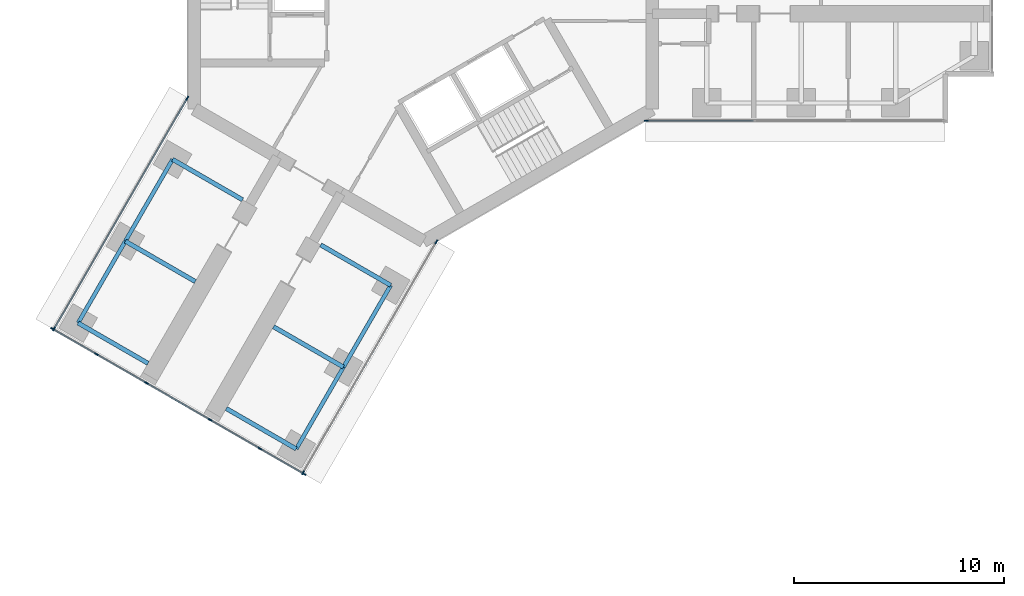
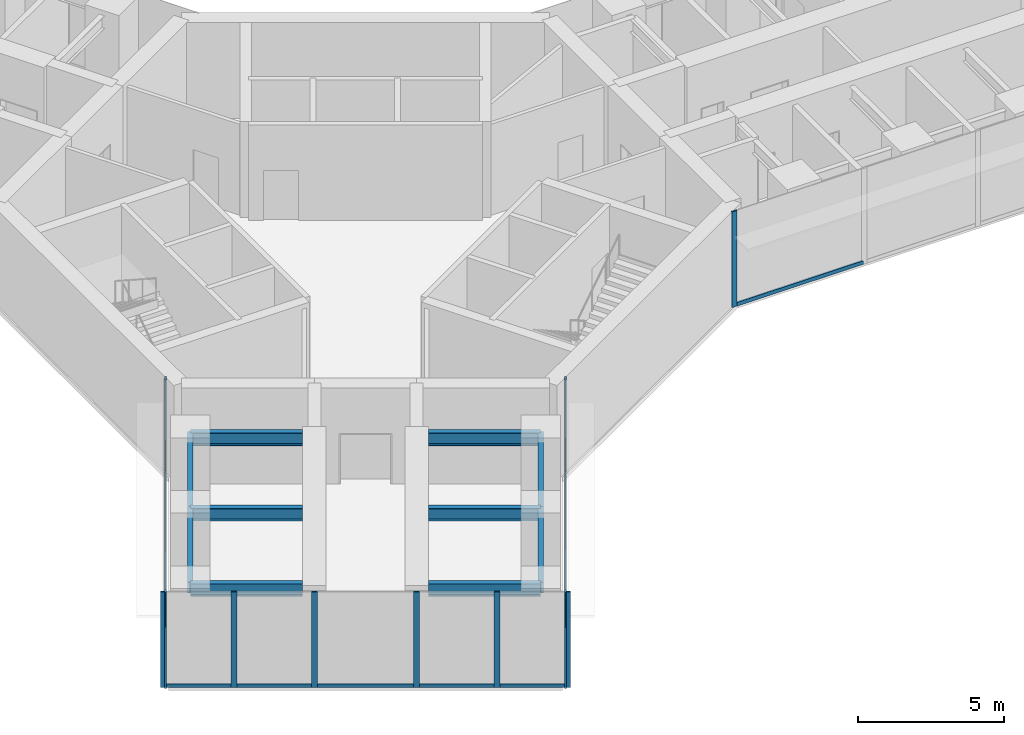
# One storey, part 2 of 21: 19 members, 10 beams, 4 elements without a shape of their own.
"""IFC4 building model written with IfcOpenShell, lengths in metres."""

from ifc_helpers import new_model, si_unit, direction, frame, origin, origin_2d, place, context, subcontext, project, spatial, rectangle, i_section, extrude, material, material_profile, profile_set, type_object, element, aggregate, save


model = new_model("IFC4")

# Units and contexts
model_context = context("Model", 3, precision=1e-05, world=origin(), true_north=direction((0.0, 1.0)))
body_context = subcontext(model_context, "Body", "Model", "MODEL_VIEW")
ifc_project = project(units=[si_unit("LENGTHUNIT", "METRE"), si_unit("AREAUNIT", "SQUARE_METRE"), si_unit("VOLUMEUNIT", "CUBIC_METRE"), si_unit("PLANEANGLEUNIT", "RADIAN"), si_unit("MASSUNIT", "GRAM", prefix="KILO")], contexts=[model_context])

# Site, building, storey
site_placement = place(None, origin())
site = spatial("IfcSite", under=ifc_project, at=site_placement, CompositionType="ELEMENT")
building_placement = place(site_placement, origin())
building = spatial("IfcBuilding", under=site, at=building_placement, Name="Upepo Twin Towers", CompositionType="ELEMENT")
storey_placement = place(building_placement, frame((0.0, 0.0, 117.5)))
storey = spatial("IfcBuildingStorey", under=building, at=storey_placement, Name="L28", CompositionType="ELEMENT", Elevation=117.5)

# Beams
ifc_material_1 = material(Name="Steel S355", Category="steel")
ifc_material_profile_1 = material_profile(ifc_material_1, i_section(OverallWidth=0.1904296875, OverallDepth=0.45703125, WebThickness=0.009033203125, FlangeThickness=0.014404296875, FilletRadius=0.01025390625, at=origin_2d()), Name="UB 457x191x74")
ifc_profile_set_1 = profile_set([ifc_material_profile_1], Name="Steel S355")
beam_type_1 = type_object("IfcBeamType", Name="Beam UB 457x191x74", PredefinedType="BEAM", material=ifc_profile_set_1)
beam_1_placement = place(storey_placement, frame((-1.553955078125, -14.69140625, 3.571533203125), z_axis=(-0.500013631625, -0.866017533419, 0.0), x_axis=(0.866017533419, -0.500013631625, 0.0)))
element("IfcBeam", 1, at=beam_1_placement, inside=storey, type_object=beam_type_1, Name="T1 edge beam CL 13.5-18.0", PredefinedType="BEAM", context=body_context, shape_type="SweptSolid", body=[
    extrude(i_section(OverallWidth=0.1904296875, OverallDepth=0.45703125, WebThickness=0.009033203125, FlangeThickness=0.014404296875, FilletRadius=0.01025390625, at=origin_2d()), origin(), (0.0, 0.0, 1.0), 4.499755859375),
])
beam_2_placement = place(storey_placement, frame((-3.803955078125, -18.58837890625, 3.571533203125), z_axis=(-0.499990139034, -0.866031096941, 0.0), x_axis=(0.866031096941, -0.499990139034, 0.0)))
element("IfcBeam", 2, at=beam_2_placement, inside=storey, type_object=beam_type_1, Name="T1 edge beam CL 18.0-22.5", PredefinedType="BEAM", context=body_context, shape_type="SweptSolid", body=[
    extrude(i_section(OverallWidth=0.1904296875, OverallDepth=0.45703125, WebThickness=0.009033203125, FlangeThickness=0.014404296875, FilletRadius=0.01025390625, at=origin_2d()), origin(), (0.0, 0.0, 1.0), 4.5),
])
beam_3_placement = place(storey_placement, frame((-11.946044921875, -8.69140625, 3.571533203125), z_axis=(-0.500013631625, -0.866017533419, 0.0), x_axis=(0.866017533419, -0.500013631625, 0.0)))
element("IfcBeam", 3, at=beam_3_placement, inside=storey, type_object=beam_type_1, Name="T1 edge beam CR 13.5-18.0", PredefinedType="BEAM", context=body_context, shape_type="SweptSolid", body=[
    extrude(i_section(OverallWidth=0.1904296875, OverallDepth=0.45703125, WebThickness=0.009033203125, FlangeThickness=0.014404296875, FilletRadius=0.01025390625, at=origin_2d()), origin(), (0.0, 0.0, 1.0), 4.499755859375),
])
beam_4_placement = place(storey_placement, frame((-14.196044921875, -12.58837890625, 3.571533203125), z_axis=(-0.499990139034, -0.866031096941, 0.0), x_axis=(0.866031096941, -0.499990139034, 0.0)))
element("IfcBeam", 4, at=beam_4_placement, inside=storey, type_object=beam_type_1, Name="T1 edge beam CR 18.0-22.5", PredefinedType="BEAM", context=body_context, shape_type="SweptSolid", body=[
    extrude(i_section(OverallWidth=0.1904296875, OverallDepth=0.45703125, WebThickness=0.009033203125, FlangeThickness=0.014404296875, FilletRadius=0.01025390625, at=origin_2d()), origin(), (0.0, 0.0, 1.0), 4.5),
])
ifc_material_2 = material(Name="Steel S355", Category="steel")
ifc_material_profile_2 = material_profile(ifc_material_2, i_section(OverallWidth=0.209228515625, OverallDepth=0.533203125, WebThickness=0.010009765625, FlangeThickness=0.015625, FilletRadius=0.0126953125, at=origin_2d()), Name="UB 533x210x92")
ifc_profile_set_2 = profile_set([ifc_material_profile_2], Name="Steel S355")
beam_type_2 = type_object("IfcBeamType", Name="Beam UB 533x210x92", PredefinedType="BEAM", material=ifc_profile_set_2)
beam_5_placement = place(storey_placement, frame((-1.553955078125, -14.69140625, 3.533447265625), z_axis=(-0.866006051527, 0.500033517596, 0.0), x_axis=(-0.500033517596, -0.866006051527, 0.0)))
element("IfcBeam", 5, at=beam_5_placement, inside=storey, type_object=beam_type_2, Name="T1 girder CL at 13.5", PredefinedType="BEAM", context=body_context, shape_type="SweptSolid", body=[
    extrude(i_section(OverallWidth=0.209228515625, OverallDepth=0.533203125, WebThickness=0.010009765625, FlangeThickness=0.015625, FilletRadius=0.0126953125, at=origin_2d()), origin(), (0.0, 0.0, 1.0), 3.849853515625),
])
beam_6_placement = place(storey_placement, frame((-3.803955078125, -18.58837890625, 3.533447265625), z_axis=(-0.866033512162, 0.499985955615, 0.0), x_axis=(-0.499985955615, -0.866033512162, 0.0)))
element("IfcBeam", 6, at=beam_6_placement, inside=storey, type_object=beam_type_2, Name="T1 girder CL at 18.0", PredefinedType="BEAM", context=body_context, shape_type="SweptSolid", body=[
    extrude(i_section(OverallWidth=0.209228515625, OverallDepth=0.533203125, WebThickness=0.010009765625, FlangeThickness=0.015625, FilletRadius=0.0126953125, at=origin_2d()), origin(), (0.0, 0.0, 1.0), 3.849609375),
])
for number, where, z_axis, x_axis, name in (
    (7, (-6.053955078125, -22.485595703125, 3.533447265625), (-0.866006051527, 0.500033517596, 0.0), (-0.500033517596, -0.866006051527, 0.0), "T1 girder CL at 22.5"),
    (8, (-11.946044921875, -8.69140625, 3.533447265625), (0.866006051527, -0.500033517596, 0.0), (0.500033517596, 0.866006051527, 0.0), "T1 girder CR at 13.5"),
    (9, (-14.196044921875, -12.58837890625, 3.533447265625), (0.866006051527, -0.500033517596, 0.0), (0.500033517596, 0.866006051527, 0.0), "T1 girder CR at 18.0"),
    (10, (-16.446044921875, -16.485595703125, 3.533447265625), (0.866006051527, -0.500033517596, 0.0), (0.500033517596, 0.866006051527, 0.0), "T1 girder CR at 22.5"),
):
    element("IfcBeam", number, at=place(storey_placement, frame(where, z_axis=z_axis, x_axis=x_axis)), inside=storey, type_object=beam_type_2, Name=name, PredefinedType="BEAM", context=body_context, shape_type="SweptSolid", body=[
        extrude(i_section(OverallWidth=0.209228515625, OverallDepth=0.533203125, WebThickness=0.010009765625, FlangeThickness=0.015625, FilletRadius=0.0126953125, at=origin_2d()), origin(), (0.0, 0.0, 1.0), 3.849853515625),
    ])

# Curtain wall, member
ifc_material_3 = material(Name="Aluminium and fritted glass", Category="aluminium")
curtain_wall_type = type_object("IfcCurtainWallType", Name="Tower curtain wall TW2, fritted glass", PredefinedType="NOTDEFINED", material=ifc_material_3)
curtain_wall_1_placement = place(storey_placement, origin())
curtain_wall_1 = element("IfcCurtainWall", 11, at=curtain_wall_1_placement, inside=storey, type_object=curtain_wall_type, Name="T1 L28 wing A flank R curtain wall", PredefinedType="NOTDEFINED")
ifc_material_4 = material(Name="Aluminium mullion", Category="aluminium")
ifc_material_profile_3 = material_profile(ifc_material_4, rectangle(XDim=0.06494140625, YDim=0.199951171875, at=origin_2d()), Name="MULLION 65x200")
ifc_profile_set_3 = profile_set([ifc_material_profile_3], Name="Aluminium mullion")
member_type_1 = type_object("IfcMemberType", Name="Mullion 65x200 TW2", PredefinedType="MULLION", material=ifc_profile_set_3)
member_1_placement = place(storey_placement, frame((10.61962890625, -6.85009765625, 0.0), z_axis=(0.0, 0.0, 1.0), x_axis=(0.0, -1.0, 0.0)))
member_1 = element("IfcMember", 12, at=member_1_placement, type_object=member_type_1, Name="T1 L28 wing A flank R curtain wall mullion 4", PredefinedType="MULLION", context=body_context, shape_type="SweptSolid", body=[
    extrude(rectangle(XDim=0.06494140625, YDim=0.199951171875, at=origin_2d()), origin(), (0.0, 0.0, 1.0), 4.0),
])

# Curtain wall, members
curtain_wall_2_placement = place(storey_placement, origin())
curtain_wall_2 = element("IfcCurtainWall", 13, at=curtain_wall_2_placement, inside=storey, type_object=curtain_wall_type, Name="T1 L28 wing C flank L curtain wall", PredefinedType="NOTDEFINED")
member_2_placement = place(storey_placement, frame((0.62255859375, -12.621826171875, 0.0), z_axis=(0.0, 0.0, 1.0), x_axis=(0.866025399212, -0.50000000792, 0.0)))
member_2 = element("IfcMember", 14, at=member_2_placement, type_object=member_type_1, Name="T1 L28 wing C flank L curtain wall mullion 1", PredefinedType="MULLION", context=body_context, shape_type="SweptSolid", body=[
    extrude(rectangle(XDim=0.06494140625, YDim=0.199951171875, at=origin_2d()), origin(), (0.0, 0.0, 1.0), 4.0),
])
member_3_placement = place(storey_placement, frame((-5.7265625, -23.61865234375, 0.0), z_axis=(0.0, 0.0, 1.0), x_axis=(0.866025399212, -0.50000000792, 0.0)))
member_3 = element("IfcMember", 15, at=member_3_placement, type_object=member_type_1, Name="T1 L28 wing C flank L curtain wall mullion 2", PredefinedType="MULLION", context=body_context, shape_type="SweptSolid", body=[
    extrude(rectangle(XDim=0.06494140625, YDim=0.199951171875, at=origin_2d()), origin(), (0.0, 0.0, 1.0), 4.0),
])

curtain_wall_3_placement = place(storey_placement, origin())
curtain_wall_3 = element("IfcCurtainWall", 16, at=curtain_wall_3_placement, inside=storey, type_object=curtain_wall_type, Name="T1 L28 wing C flank R curtain wall", PredefinedType="NOTDEFINED")
member_4_placement = place(storey_placement, frame((-17.591064453125, -16.7685546875, 0.0), z_axis=(0.0, 0.0, 1.0), x_axis=(-0.866025399212, 0.50000000792, 0.0)))
member_4 = element("IfcMember", 17, at=member_4_placement, type_object=member_type_1, Name="T1 L28 wing C flank R curtain wall mullion 1", PredefinedType="MULLION", context=body_context, shape_type="SweptSolid", body=[
    extrude(rectangle(XDim=0.06494140625, YDim=0.199951171875, at=origin_2d()), origin(), (0.0, 0.0, 1.0), 4.0),
])
member_5_placement = place(storey_placement, frame((-11.2421875, -5.77197265625, 0.0), z_axis=(0.0, 0.0, 1.0), x_axis=(-0.866025399212, 0.50000000792, 0.0)))
member_5 = element("IfcMember", 18, at=member_5_placement, type_object=member_type_1, Name="T1 L28 wing C flank R curtain wall mullion 2", PredefinedType="MULLION", context=body_context, shape_type="SweptSolid", body=[
    extrude(rectangle(XDim=0.06494140625, YDim=0.199951171875, at=origin_2d()), origin(), (0.0, 0.0, 1.0), 4.0),
])

curtain_wall_4_placement = place(storey_placement, origin())
curtain_wall_4 = element("IfcCurtainWall", 19, at=curtain_wall_4_placement, inside=storey, type_object=curtain_wall_type, Name="T1 L28 wing C nose curtain wall", PredefinedType="NOTDEFINED")
member_6_placement = place(storey_placement, frame((-17.665771484375, -16.762939453125, 0.0), z_axis=(0.0, 0.0, 1.0), x_axis=(0.499999972355, 0.866025419745, 0.0)))
member_6 = element("IfcMember", 20, at=member_6_placement, type_object=member_type_1, Name="T1 L28 wing C nose curtain wall mullion 1", PredefinedType="MULLION", context=body_context, shape_type="SweptSolid", body=[
    extrude(rectangle(XDim=0.06494140625, YDim=0.199951171875, at=origin_2d()), origin(), (0.0, 0.0, 1.0), 4.0),
])
member_7_placement = place(storey_placement, frame((-15.572021484375, -17.9716796875, 0.0), z_axis=(0.0, 0.0, 1.0), x_axis=(0.499999972355, 0.866025419745, 0.0)))
member_7 = element("IfcMember", 21, at=member_7_placement, type_object=member_type_1, Name="T1 L28 wing C nose curtain wall mullion 2", PredefinedType="MULLION", context=body_context, shape_type="SweptSolid", body=[
    extrude(rectangle(XDim=0.06494140625, YDim=0.199951171875, at=origin_2d()), origin(), (0.0, 0.0, 1.0), 4.0),
])
member_8_placement = place(storey_placement, frame((-13.1904296875, -19.3466796875, 0.0), z_axis=(0.0, 0.0, 1.0), x_axis=(0.499999972355, 0.866025419745, 0.0)))
member_8 = element("IfcMember", 22, at=member_8_placement, type_object=member_type_1, Name="T1 L28 wing C nose curtain wall mullion 3", PredefinedType="MULLION", context=body_context, shape_type="SweptSolid", body=[
    extrude(rectangle(XDim=0.06494140625, YDim=0.199951171875, at=origin_2d()), origin(), (0.0, 0.0, 1.0), 4.0),
])
member_9_placement = place(storey_placement, frame((-10.159423828125, -21.0966796875, 0.0), z_axis=(0.0, 0.0, 1.0), x_axis=(0.499999972355, 0.866025419745, 0.0)))
member_9 = element("IfcMember", 23, at=member_9_placement, type_object=member_type_1, Name="T1 L28 wing C nose curtain wall mullion 4", PredefinedType="MULLION", context=body_context, shape_type="SweptSolid", body=[
    extrude(rectangle(XDim=0.06494140625, YDim=0.199951171875, at=origin_2d()), origin(), (0.0, 0.0, 1.0), 4.0),
])
member_10_placement = place(storey_placement, frame((-7.77783203125, -22.4716796875, 0.0), z_axis=(0.0, 0.0, 1.0), x_axis=(0.499999972355, 0.866025419745, 0.0)))
member_10 = element("IfcMember", 24, at=member_10_placement, type_object=member_type_1, Name="T1 L28 wing C nose curtain wall mullion 5", PredefinedType="MULLION", context=body_context, shape_type="SweptSolid", body=[
    extrude(rectangle(XDim=0.06494140625, YDim=0.199951171875, at=origin_2d()), origin(), (0.0, 0.0, 1.0), 4.0),
])
member_11_placement = place(storey_placement, frame((-5.684326171875, -23.680419921875, 0.0), z_axis=(0.0, 0.0, 1.0), x_axis=(0.499999972355, 0.866025419745, 0.0)))
member_11 = element("IfcMember", 25, at=member_11_placement, type_object=member_type_1, Name="T1 L28 wing C nose curtain wall mullion 6", PredefinedType="MULLION", context=body_context, shape_type="SweptSolid", body=[
    extrude(rectangle(XDim=0.06494140625, YDim=0.199951171875, at=origin_2d()), origin(), (0.0, 0.0, 1.0), 4.0),
])

# Member
ifc_material_5 = material(Name="Aluminium transom", Category="aluminium")
ifc_material_profile_4 = material_profile(ifc_material_5, rectangle(XDim=0.06494140625, YDim=0.14990234375, at=origin_2d()), Name="TRANSOM 65x150")
ifc_profile_set_4 = profile_set([ifc_material_profile_4], Name="Aluminium transom")
member_type_2 = type_object("IfcMemberType", Name="Transom 65x150 TW2", PredefinedType="USERDEFINED", material=ifc_profile_set_4)
member_12_placement = place(storey_placement, frame((15.717529296875, -6.85009765625, 0.074951171875), z_axis=(-1.0, 0.0, 0.0), x_axis=(0.0, -1.0, 0.0)))
member_12 = element("IfcMember", 26, at=member_12_placement, type_object=member_type_2, Name="T1 L28 wing A flank R curtain wall transom 3", ObjectType="TRANSOM", PredefinedType="USERDEFINED", context=body_context, shape_type="SweptSolid", body=[
    extrude(rectangle(XDim=0.06494140625, YDim=0.14990234375, at=origin_2d()), origin(), (0.0, 0.0, 1.0), 5.0654296875),
])

aggregate(curtain_wall_1, [member_1, member_12])

member_13_placement = place(storey_placement, frame((0.606201171875, -12.64990234375, 0.074951171875), z_axis=(-0.499996807431, -0.866027247007, 0.0), x_axis=(0.866027247007, -0.499996807431, 0.0)))
member_13 = element("IfcMember", 27, at=member_13_placement, type_object=member_type_2, Name="T1 L28 wing C flank L curtain wall transom 1", ObjectType="TRANSOM", PredefinedType="USERDEFINED", context=body_context, shape_type="SweptSolid", body=[
    extrude(rectangle(XDim=0.06494140625, YDim=0.14990234375, at=origin_2d()), origin(), (0.0, 0.0, 1.0), 12.6328125),
])

aggregate(curtain_wall_2, [member_2, member_3, member_13])

member_14_placement = place(storey_placement, frame((-17.57470703125, -16.740478515625, 0.074951171875), z_axis=(0.499996807431, 0.866027247007, 0.0), x_axis=(-0.866027247007, 0.499996807431, 0.0)))
member_14 = element("IfcMember", 28, at=member_14_placement, type_object=member_type_2, Name="T1 L28 wing C flank R curtain wall transom 1", ObjectType="TRANSOM", PredefinedType="USERDEFINED", context=body_context, shape_type="SweptSolid", body=[
    extrude(rectangle(XDim=0.06494140625, YDim=0.14990234375, at=origin_2d()), origin(), (0.0, 0.0, 1.0), 12.6328125),
])

aggregate(curtain_wall_3, [member_4, member_5, member_14])

member_15_placement = place(storey_placement, frame((-17.6376953125, -16.779296875, 0.074951171875), z_axis=(0.866069800327, -0.499923095048, 0.0), x_axis=(0.499923095048, 0.866069800327, 0.0)))
member_15 = element("IfcMember", 29, at=member_15_placement, type_object=member_type_2, Name="T1 L28 wing C nose curtain wall transom 1", ObjectType="TRANSOM", PredefinedType="USERDEFINED", context=body_context, shape_type="SweptSolid", body=[
    extrude(rectangle(XDim=0.06494140625, YDim=0.14990234375, at=origin_2d()), origin(), (0.0, 0.0, 1.0), 2.352294921875),
])

member_16_placement = place(storey_placement, frame((-15.5439453125, -17.988037109375, 0.074951171875), z_axis=(0.8660523339, -0.49995335277, 0.0), x_axis=(0.49995335277, 0.8660523339, 0.0)))
member_16 = element("IfcMember", 30, at=member_16_placement, type_object=member_type_2, Name="T1 L28 wing C nose curtain wall transom 2", ObjectType="TRANSOM", PredefinedType="USERDEFINED", context=body_context, shape_type="SweptSolid", body=[
    extrude(rectangle(XDim=0.06494140625, YDim=0.14990234375, at=origin_2d()), origin(), (0.0, 0.0, 1.0), 2.684814453125),
])

member_17_placement = place(storey_placement, frame((-13.162353515625, -19.363037109375, 0.074951171875), z_axis=(0.866056579774, -0.499945997713, 0.0), x_axis=(0.499945997713, 0.866056579774, 0.0)))
member_17 = element("IfcMember", 31, at=member_17_placement, type_object=member_type_2, Name="T1 L28 wing C nose curtain wall transom 3", ObjectType="TRANSOM", PredefinedType="USERDEFINED", context=body_context, shape_type="SweptSolid", body=[
    extrude(rectangle(XDim=0.06494140625, YDim=0.14990234375, at=origin_2d()), origin(), (0.0, 0.0, 1.0), 3.43505859375),
])

member_18_placement = place(storey_placement, frame((-10.13134765625, -21.113037109375, 0.074951171875), z_axis=(0.8660523339, -0.49995335277, 0.0), x_axis=(0.49995335277, 0.8660523339, 0.0)))
member_18 = element("IfcMember", 32, at=member_18_placement, type_object=member_type_2, Name="T1 L28 wing C nose curtain wall transom 4", ObjectType="TRANSOM", PredefinedType="USERDEFINED", context=body_context, shape_type="SweptSolid", body=[
    extrude(rectangle(XDim=0.06494140625, YDim=0.14990234375, at=origin_2d()), origin(), (0.0, 0.0, 1.0), 2.684814453125),
])

member_19_placement = place(storey_placement, frame((-7.749755859375, -22.488037109375, 0.074951171875), z_axis=(0.866024864377, -0.50000093428, 0.0), x_axis=(0.50000093428, 0.866024864377, 0.0)))
member_19 = element("IfcMember", 33, at=member_19_placement, type_object=member_type_2, Name="T1 L28 wing C nose curtain wall transom 5", ObjectType="TRANSOM", PredefinedType="USERDEFINED", context=body_context, shape_type="SweptSolid", body=[
    extrude(rectangle(XDim=0.06494140625, YDim=0.14990234375, at=origin_2d()), origin(), (0.0, 0.0, 1.0), 2.3525390625),
])

aggregate(curtain_wall_4, [member_6, member_7, member_8, member_9, member_10, member_11, member_15, member_16, member_17, member_18, member_19])

save(model, "model.ifc")
